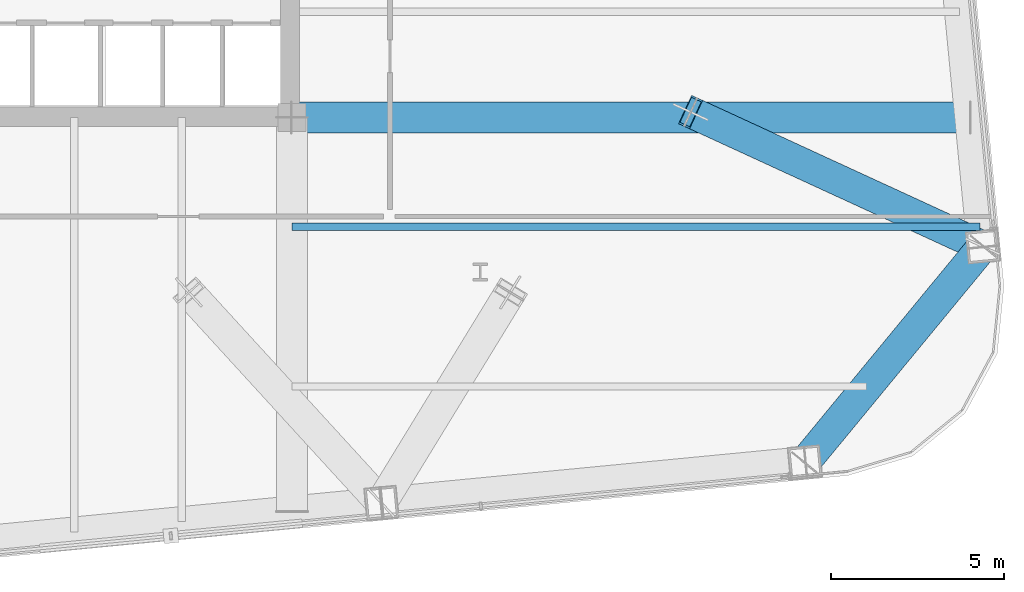
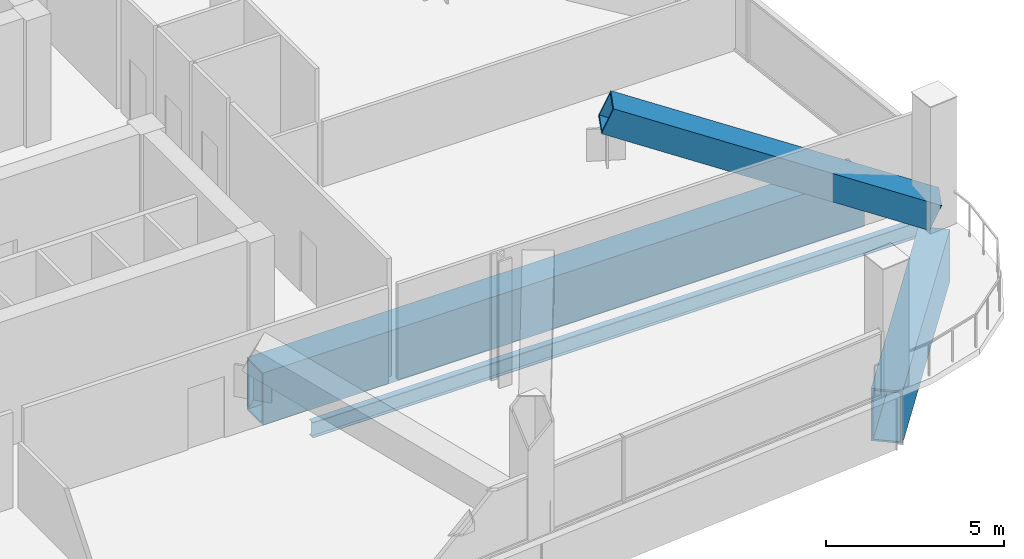
# One storey, part 10 of 30: 3 beams, 1 member.
"""IFC4 building model written with IfcOpenShell, lengths in metres."""

from ifc_helpers import new_model, si_unit, direction, frame, origin, origin_2d, place, context, subcontext, project, spatial, hollow_rectangle, i_section, extrude, material, material_profile, profile_set, type_object, element, save


model = new_model("IFC4")

# Units and contexts
model_context = context("Model", 3, precision=1e-05, world=origin(), true_north=direction((0.0, 1.0)))
body_context = subcontext(model_context, "Body", "Model", "MODEL_VIEW")
ifc_project = project(units=[si_unit("LENGTHUNIT", "METRE"), si_unit("AREAUNIT", "SQUARE_METRE"), si_unit("VOLUMEUNIT", "CUBIC_METRE"), si_unit("PLANEANGLEUNIT", "RADIAN"), si_unit("MASSUNIT", "GRAM", prefix="KILO")], contexts=[model_context])

# Site, building, storey
site_placement = place(None, origin())
site = spatial("IfcSite", under=ifc_project, at=site_placement, CompositionType="ELEMENT")
building_placement = place(site_placement, origin())
building = spatial("IfcBuilding", under=site, at=building_placement, Name="Qhalaya Broadcast Tower", CompositionType="ELEMENT")
storey_placement = place(building_placement, frame((0.0, 0.0, 96.89990234375)))
storey = spatial("IfcBuildingStorey", under=building, at=storey_placement, Name="L28", CompositionType="ELEMENT", Elevation=96.89990234375)

# Beams
ifc_material_1 = material(Name="Structural Steel ASTM A572 Grade 50", Category="steel")
ifc_material_profile_1 = material_profile(ifc_material_1, hollow_rectangle(XDim=0.89990234375, YDim=1.800048828125, WallThickness=0.06005859375, at=origin_2d()), Name="BOX 900x1800x60")
ifc_profile_set_1 = profile_set([ifc_material_profile_1], Name="Structural Steel ASTM A572 Grade 50")
beam_type_1 = type_object("IfcBeamType", Name="Block Cantilever Transfer Box Girder TG1", PredefinedType="USERDEFINED", material=ifc_profile_set_1)
beam_1_placement = place(storey_placement, frame((24.165283203125, -18.685546875, -1.119873046875), z_axis=(0.636052208619, 0.771646025008, 0.0), x_axis=(-0.771646025008, 0.636052208619, 0.0)))
element("IfcBeam", 1, at=beam_1_placement, inside=storey, type_object=beam_type_1, Name="L28 TG1 L28-SPR-04", ObjectType="GIRDER", PredefinedType="USERDEFINED", context=body_context, shape_type="SweptSolid", body=[
    extrude(hollow_rectangle(XDim=0.89990234375, YDim=1.800048828125, WallThickness=0.06005859375, at=origin_2d()), origin(), (0.0, 0.0, 1.0), 8.06103515625),
])
beam_2_placement = place(storey_placement, frame((9.375, -8.75, -1.119873046875), z_axis=(1.0, 0.0, 0.0), x_axis=(0.0, 1.0, 0.0)))
element("IfcBeam", 2, at=beam_2_placement, inside=storey, type_object=beam_type_1, Name="L28 TG1 L28-PGYE1-1", ObjectType="GIRDER", PredefinedType="USERDEFINED", context=body_context, shape_type="SweptSolid", body=[
    extrude(hollow_rectangle(XDim=0.89990234375, YDim=1.800048828125, WallThickness=0.06005859375, at=origin_2d()), origin(), (0.0, 0.0, 1.0), 19.539794921875),
])
ifc_material_2 = material(Name="Structural Steel ASTM A992 Grade 50", Category="steel")
ifc_material_profile_2 = material_profile(ifc_material_2, i_section(OverallWidth=0.2099609375, OverallDepth=0.535888671875, WebThickness=0.010986328125, FlangeThickness=0.017333984375, at=origin_2d()), Name="W21X68")
ifc_profile_set_2 = profile_set([ifc_material_profile_2], Name="Structural Steel ASTM A992 Grade 50")
beam_type_2 = type_object("IfcBeamType", Name="Composite Floor Joist J02", PredefinedType="JOIST", material=ifc_profile_set_2)
beam_3_placement = place(storey_placement, frame((9.375, -11.89990234375, -0.48779296875), z_axis=(1.0, 0.0, 0.0), x_axis=(0.0, 1.0, 0.0)))
element("IfcBeam", 3, at=beam_3_placement, inside=storey, type_object=beam_type_2, Name="L28 J02 L28-JWE2E-1", PredefinedType="JOIST", context=body_context, shape_type="SweptSolid", body=[
    extrude(i_section(OverallWidth=0.2099609375, OverallDepth=0.535888671875, WebThickness=0.010986328125, FlangeThickness=0.017333984375, at=origin_2d()), origin(), (0.0, 0.0, 1.0), 19.843017578125),
])

# Member
ifc_material_profile_3 = material_profile(ifc_material_1, hollow_rectangle(XDim=0.89990234375, YDim=0.89990234375, WallThickness=0.054931640625, at=origin_2d()), Name="BOX 900x900x55")
ifc_profile_set_3 = profile_set([ifc_material_profile_3], Name="Structural Steel ASTM A572 Grade 50")
member_type = type_object("IfcMemberType", Name="Heavy Exoskeleton Transfer Strut RK1", PredefinedType="BRACE", material=ifc_profile_set_3)
member_placement = place(storey_placement, frame((29.29248046875, -12.46533203125, 0.424560546875), z_axis=(-0.836552185416, 0.384909062528, 0.389904417337), x_axis=(-0.417990805398, -0.908451257142, 0.0)))
element("IfcMember", 4, at=member_placement, inside=storey, type_object=member_type, Name="L28 Inclined Exoskeleton Transfer Strut 05", PredefinedType="BRACE", context=body_context, shape_type="SweptSolid", body=[
    extrude(hollow_rectangle(XDim=0.89990234375, YDim=0.89990234375, WallThickness=0.054931640625, at=origin_2d()), origin(), (0.0, 0.0, 1.0), 10.06787109375),
])

save(model, "model.ifc")
